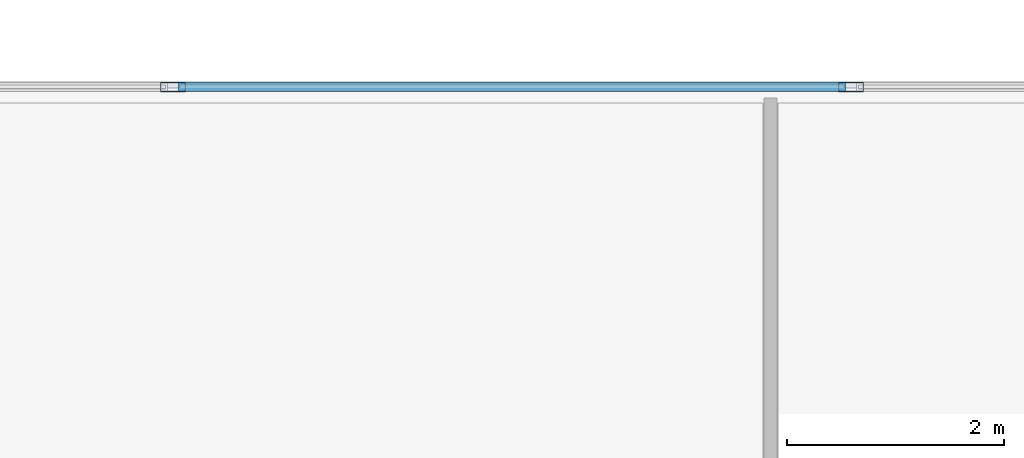
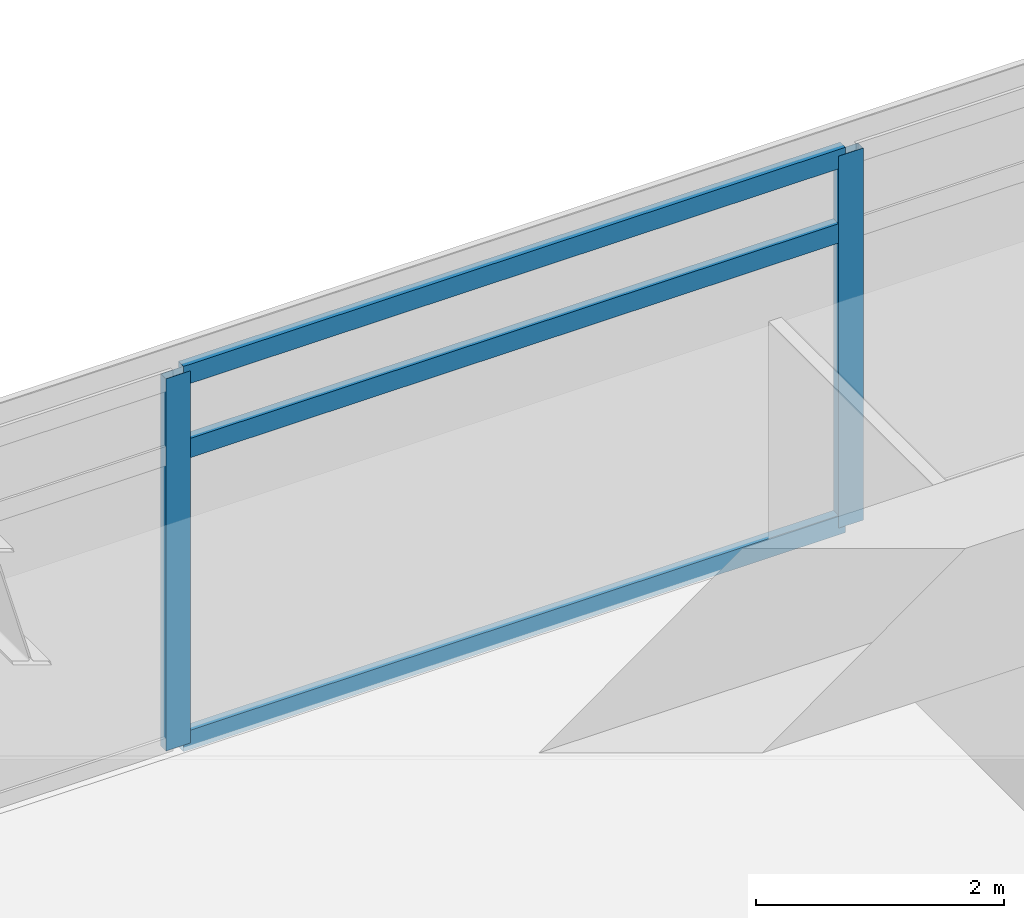
# One storey, part 8 of 22: 5 members, 1 element without a shape of its own.
"""IFC4 building model written with IfcOpenShell, lengths in metres."""

from ifc_helpers import new_model, si_unit, direction, frame, origin, origin_2d, place, context, subcontext, project, spatial, hollow_rectangle, extrude, material, material_profile, profile_set, type_object, element, aggregate, save


model = new_model("IFC4")

# Units and contexts
model_context = context("Model", 3, precision=1e-05, world=origin(), true_north=direction((0.0, 1.0)))
body_context = subcontext(model_context, "Body", "Model", "MODEL_VIEW")
ifc_project = project(units=[si_unit("LENGTHUNIT", "METRE"), si_unit("AREAUNIT", "SQUARE_METRE"), si_unit("VOLUMEUNIT", "CUBIC_METRE"), si_unit("PLANEANGLEUNIT", "RADIAN"), si_unit("MASSUNIT", "GRAM", prefix="KILO")], contexts=[model_context])

# Site, building, storey
site_placement = place(None, origin())
site = spatial("IfcSite", under=ifc_project, at=site_placement, CompositionType="ELEMENT")
building_placement = place(site_placement, origin())
building = spatial("IfcBuilding", under=site, at=building_placement, Name="Kovane Verandah Tower", CompositionType="ELEMENT")
storey_placement = place(building_placement, frame((0.0, 0.0, 180.39990234375)))
storey = spatial("IfcBuildingStorey", under=building, at=storey_placement, Name="L42", CompositionType="ELEMENT", Elevation=180.39990234375)

# Curtain wall, members
ifc_material_1 = material(Name="Champagne Anodised Aluminium Frame with Low-E Clear Laminated Glass", Category="aluminium")
curtain_wall_type = type_object("IfcCurtainWallType", Name="CW-SYS-03-MID", PredefinedType="NOTDEFINED", material=ifc_material_1)
curtain_wall_placement = place(storey_placement, origin())
curtain_wall = element("IfcCurtainWall", 1, at=curtain_wall_placement, inside=storey, type_object=curtain_wall_type, Name="L42 N Unitised Curtain Wall", PredefinedType="NOTDEFINED")
ifc_material_2 = material(Name="Champagne Anodised Aluminium 6063-T6", Category="aluminium")
ifc_material_profile_1 = material_profile(ifc_material_2, hollow_rectangle(XDim=0.0849609375, YDim=0.22998046875, WallThickness=0.00390625, at=origin_2d()), Name="AL85x230x4")
ifc_profile_set_1 = profile_set([ifc_material_profile_1], Name="Champagne Anodised Aluminium 6063-T6")
member_type_1 = type_object("IfcMemberType", Name="CW-MUL-85x230", PredefinedType="MULLION", material=ifc_profile_set_1)
member_1_placement = place(storey_placement, frame((37.780029296875, 49.10009765625, 0.02001953125), z_axis=(0.0, 0.0, 1.0), x_axis=(0.0, 1.0, 0.0)))
member_1 = element("IfcMember", 2, at=member_1_placement, type_object=member_type_1, Name="L42 N Unitised Curtain Wall Mullion 5", PredefinedType="MULLION", context=body_context, shape_type="SweptSolid", body=[
    extrude(hollow_rectangle(XDim=0.0849609375, YDim=0.22998046875, WallThickness=0.00390625, at=origin_2d()), origin(), (0.0, 0.0, 1.0), 3.66015625),
])
member_2_placement = place(storey_placement, frame((31.52001953125, 49.10009765625, 0.02001953125), z_axis=(0.0, 0.0, 1.0), x_axis=(0.0, 1.0, 0.0)))
member_2 = element("IfcMember", 3, at=member_2_placement, type_object=member_type_1, Name="L42 N Unitised Curtain Wall Mullion 6", PredefinedType="MULLION", context=body_context, shape_type="SweptSolid", body=[
    extrude(hollow_rectangle(XDim=0.0849609375, YDim=0.22998046875, WallThickness=0.00390625, at=origin_2d()), origin(), (0.0, 0.0, 1.0), 3.66015625),
])
ifc_material_profile_2 = material_profile(ifc_material_2, hollow_rectangle(XDim=0.0849609375, YDim=0.18994140625, WallThickness=0.00390625, at=origin_2d()), Name="AL85x190x4")
ifc_profile_set_2 = profile_set([ifc_material_profile_2], Name="Champagne Anodised Aluminium 6063-T6")
member_type_2 = type_object("IfcMemberType", Name="CW-TRN-85x190", PredefinedType="USERDEFINED", material=ifc_profile_set_2)
member_3_placement = place(storey_placement, frame((37.72998046875, 49.10009765625, 0.050048828125), z_axis=(-1.0, 0.0, 0.0), x_axis=(0.0, -1.0, 0.0)))
member_3 = element("IfcMember", 4, at=member_3_placement, type_object=member_type_2, Name="L42 N Unitised Curtain Wall Transom TB Bay 5", ObjectType="TRANSOM", PredefinedType="USERDEFINED", context=body_context, shape_type="SweptSolid", body=[
    extrude(hollow_rectangle(XDim=0.0849609375, YDim=0.18994140625, WallThickness=0.00390625, at=origin_2d()), origin(), (0.0, 0.0, 1.0), 6.159912109375),
])
member_4_placement = place(storey_placement, frame((37.72998046875, 49.10009765625, 2.920166015625), z_axis=(-1.0, 0.0, 0.0), x_axis=(0.0, -1.0, 0.0)))
member_4 = element("IfcMember", 5, at=member_4_placement, type_object=member_type_2, Name="L42 N Unitised Curtain Wall Transom TM Bay 5", ObjectType="TRANSOM", PredefinedType="USERDEFINED", context=body_context, shape_type="SweptSolid", body=[
    extrude(hollow_rectangle(XDim=0.0849609375, YDim=0.18994140625, WallThickness=0.00390625, at=origin_2d()), origin(), (0.0, 0.0, 1.0), 6.159912109375),
])
member_5_placement = place(storey_placement, frame((37.72998046875, 49.10009765625, 3.650146484375), z_axis=(-1.0, 0.0, 0.0), x_axis=(0.0, -1.0, 0.0)))
member_5 = element("IfcMember", 6, at=member_5_placement, type_object=member_type_2, Name="L42 N Unitised Curtain Wall Transom TT Bay 5", ObjectType="TRANSOM", PredefinedType="USERDEFINED", context=body_context, shape_type="SweptSolid", body=[
    extrude(hollow_rectangle(XDim=0.0849609375, YDim=0.18994140625, WallThickness=0.00390625, at=origin_2d()), origin(), (0.0, 0.0, 1.0), 6.159912109375),
])
aggregate(curtain_wall, [member_1, member_2, member_3, member_4, member_5])

save(model, "model.ifc")
